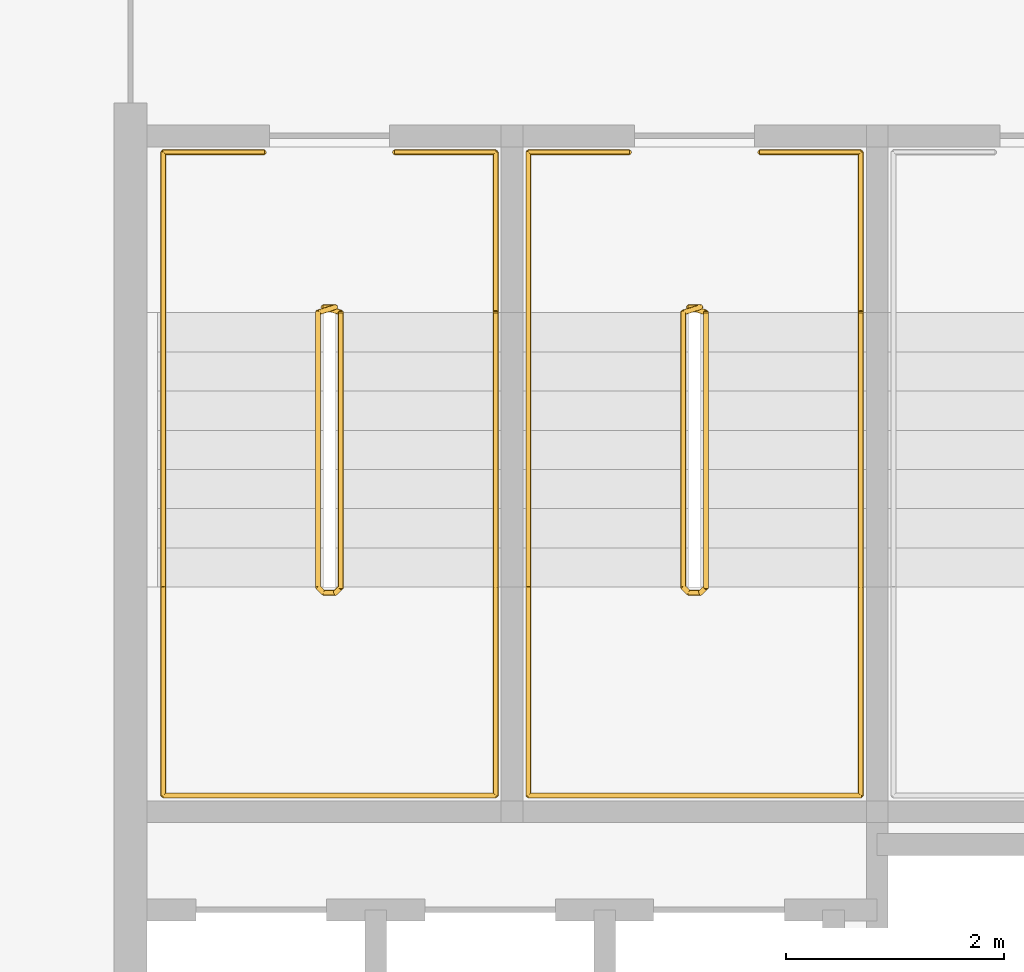
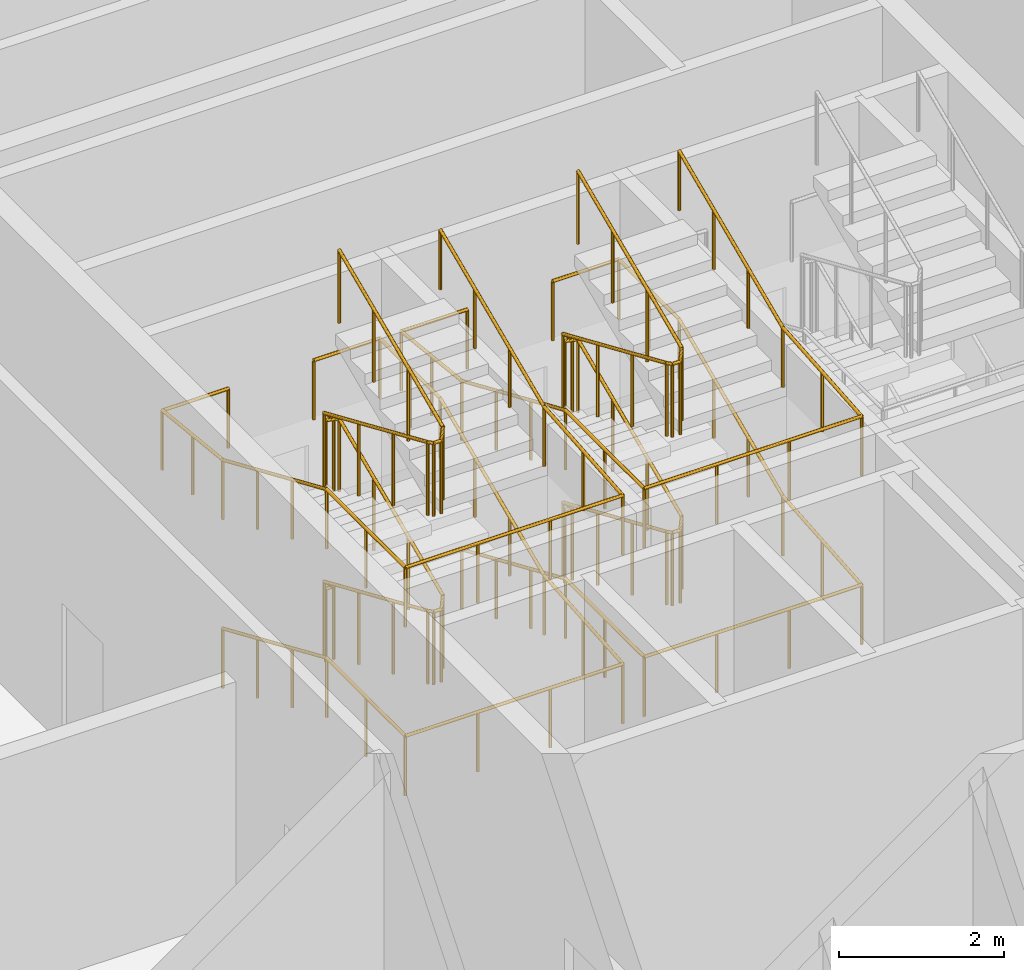
# One storey, part 10 of 11: 6 railings.
"""IFC4 building model written with IfcOpenShell, lengths in metres."""

from ifc_helpers import new_model, si_unit, direction, frame, origin, origin_2d, place, context, subcontext, project, spatial, circle, extrude, material, type_object, element, save


model = new_model("IFC4")

# Units and contexts
model_context = context("Model", 3, precision=1e-05, world=origin(), true_north=direction((0.0, 1.0)))
body_context = subcontext(model_context, "Body", "Model", "MODEL_VIEW")
ifc_project = project(units=[si_unit("LENGTHUNIT", "METRE"), si_unit("AREAUNIT", "SQUARE_METRE"), si_unit("VOLUMEUNIT", "CUBIC_METRE"), si_unit("PLANEANGLEUNIT", "RADIAN"), si_unit("MASSUNIT", "GRAM", prefix="KILO")], contexts=[model_context])

# Site, building, storey
site_placement = place(None, origin())
site = spatial("IfcSite", under=ifc_project, at=site_placement, CompositionType="ELEMENT")
building_placement = place(site_placement, origin())
building = spatial("IfcBuilding", under=site, at=building_placement, Name="Tessera Arch", CompositionType="ELEMENT")
storey_placement = place(building_placement, frame((0.0, 0.0, 290.199951171875)))
storey = spatial("IfcBuildingStorey", under=building, at=storey_placement, Name="L70", CompositionType="ELEMENT", Elevation=290.199951171875)

# Railings
ifc_material_1 = material(Name="Painted steel balustrade", Category="steel")
railing_type_1 = type_object("IfcRailingType", Name="Stair guard 1100", PredefinedType="GUARDRAIL", material=ifc_material_1)
railing_1_placement = place(storey_placement, frame((38.219970703125, 43.6298828125, 0.0)))
element("IfcRailing", 1, at=railing_1_placement, inside=storey, type_object=railing_type_1, Name="L70 S1a stair guard 1", PredefinedType="GUARDRAIL", context=body_context, shape_type="SweptSolid", body=[
    extrude(circle(Radius=0.02392578125, at=origin_2d()), frame((-0.00390625, 0.0, 1.076171875), z_axis=(1.0, 0.0, 0.0), x_axis=(0.0, 1.0, 0.0)), (0.0, 0.0, 1.0), 0.1181640625),
    extrude(circle(Radius=0.02392578125, at=origin_2d()), frame((0.11279296875, 0.0009765625, 1.0732421875), z_axis=(-0.698682510115, -0.217273219609, 0.681641473283), x_axis=(0.296948579431, -0.954893471113, 0.0)), (0.0, 0.0, 1.0), 0.2373046875),
    extrude(circle(Radius=0.02392578125, at=origin_2d()), frame((-0.050048828125, -0.046142578125, 1.230712890625), z_axis=(0.0, -0.917324189904, 0.398141093855), x_axis=(1.0, 0.0, 0.0)), (0.0, 0.0, 1.0), 2.755126953125),
    extrude(circle(Radius=0.02392578125, at=origin_2d()), frame((-0.052978515625, -2.56689453125, 2.326171875), z_axis=(0.707106781187, -0.707106781187, 0.0), x_axis=(0.707106781187, 0.707106781187, 0.0)), (0.0, 0.0, 1.0), 0.078857421875),
    extrude(circle(Radius=0.02392578125, at=origin_2d()), frame((-0.00390625, -2.619873046875, 2.326171875), z_axis=(1.0, 0.0, 0.0), x_axis=(0.0, 1.0, 0.0)), (0.0, 0.0, 1.0), 0.1181640625),
    extrude(circle(Radius=0.02392578125, at=origin_2d()), frame((0.10888671875, -2.62109375, 2.322509765625), z_axis=(0.290469530425, 0.291893400672, 0.911276958196), x_axis=(-0.708833529934, 0.705375805398, 0.0)), (0.0, 0.0, 1.0), 0.179443359375),
    extrude(circle(Radius=0.02392578125, at=origin_2d()), frame((0.159912109375, -2.573486328125, 2.480712890625), z_axis=(0.0, 0.917324189904, 0.398141093855), x_axis=(-1.0, 0.0, 0.0)), (0.0, 0.0, 1.0), 2.755126953125),
    extrude(circle(Radius=0.02392578125, at=origin_2d()), frame((0.163818359375, -0.051025390625, 3.576171875), z_axis=(-0.954764847777, 0.297361876254, 0.0), x_axis=(-0.297361876254, -0.954764847777, 0.0)), (0.0, 0.0, 1.0), 0.175537109375),
    extrude(circle(Radius=0.02392578125, at=origin_2d()), frame((-0.00390625, 0.0, 3.576171875), z_axis=(1.0, 0.0, 0.0), x_axis=(0.0, 1.0, 0.0)), (0.0, 0.0, 1.0), 0.1181640625),
    extrude(circle(Radius=0.02392578125, at=origin_2d()), frame((0.11279296875, 0.0009765625, 3.5732421875), z_axis=(-0.698682510115, -0.217273219609, 0.681641473283), x_axis=(0.296948579431, -0.954893471113, 0.0)), (0.0, 0.0, 1.0), 0.2373046875),
    extrude(circle(Radius=0.02392578125, at=origin_2d()), frame((-0.050048828125, -0.046142578125, 3.730712890625), z_axis=(0.0, -0.917324189904, 0.398141093855), x_axis=(1.0, 0.0, 0.0)), (0.0, 0.0, 1.0), 2.755126953125),
    extrude(circle(Radius=0.02392578125, at=origin_2d()), frame((-0.052978515625, -2.56689453125, 4.826171875), z_axis=(0.707106781187, -0.707106781187, 0.0), x_axis=(0.707106781187, 0.707106781187, 0.0)), (0.0, 0.0, 1.0), 0.078857421875),
    extrude(circle(Radius=0.02392578125, at=origin_2d()), frame((-0.00390625, -2.619873046875, 4.826171875), z_axis=(1.0, 0.0, 0.0), x_axis=(0.0, 1.0, 0.0)), (0.0, 0.0, 1.0), 0.1181640625),
    extrude(circle(Radius=0.02392578125, at=origin_2d()), frame((0.10888671875, -2.62109375, 4.822509765625), z_axis=(0.290469530425, 0.291893400672, 0.911276958196), x_axis=(-0.708833529934, 0.705375805398, 0.0)), (0.0, 0.0, 1.0), 0.179443359375),
    extrude(circle(Radius=0.02392578125, at=origin_2d()), frame((0.159912109375, -2.573486328125, 4.980712890625), z_axis=(0.0, 0.917324189904, 0.398141093855), x_axis=(-1.0, 0.0, 0.0)), (0.0, 0.0, 1.0), 2.755126953125),
    extrude(circle(Radius=0.02099609375, at=origin_2d()), origin(), (0.0, 0.0, 1.0), 1.06396484375),
    extrude(circle(Radius=0.02099609375, at=origin_2d()), frame((0.110107421875, 0.0, 0.0)), (0.0, 0.0, 1.0), 1.06396484375),
    extrude(circle(Radius=0.02099609375, at=origin_2d()), frame((-0.050048828125, -0.0498046875, 0.15625)), (0.0, 0.0, 1.0), 1.06396484375),
    extrude(circle(Radius=0.02099609375, at=origin_2d()), frame((-0.050048828125, -0.889892578125, 0.520751953125)), (0.0, 0.0, 1.0), 1.06396484375),
    extrude(circle(Radius=0.02099609375, at=origin_2d()), frame((-0.050048828125, -1.729736328125, 0.885498046875)), (0.0, 0.0, 1.0), 1.06396484375),
    extrude(circle(Radius=0.02099609375, at=origin_2d()), frame((-0.050048828125, -2.56982421875, 1.25)), (0.0, 0.0, 1.0), 1.06396484375),
    extrude(circle(Radius=0.02099609375, at=origin_2d()), frame((0.0, -2.619873046875, 1.25)), (0.0, 0.0, 1.0), 1.06396484375),
    extrude(circle(Radius=0.02099609375, at=origin_2d()), frame((0.110107421875, -2.619873046875, 1.25)), (0.0, 0.0, 1.0), 1.06396484375),
    extrude(circle(Radius=0.02099609375, at=origin_2d()), frame((0.159912109375, -2.56982421875, 1.40625)), (0.0, 0.0, 1.0), 1.06396484375),
    extrude(circle(Radius=0.02099609375, at=origin_2d()), frame((0.159912109375, -1.729736328125, 1.770751953125)), (0.0, 0.0, 1.0), 1.06396484375),
    extrude(circle(Radius=0.02099609375, at=origin_2d()), frame((0.159912109375, -0.889892578125, 2.135498046875)), (0.0, 0.0, 1.0), 1.06396484375),
    extrude(circle(Radius=0.02099609375, at=origin_2d()), frame((0.159912109375, -0.0498046875, 2.5)), (0.0, 0.0, 1.0), 1.06396484375),
    extrude(circle(Radius=0.02099609375, at=origin_2d()), frame((0.0, 0.0, 2.5)), (0.0, 0.0, 1.0), 1.06396484375),
    extrude(circle(Radius=0.02099609375, at=origin_2d()), frame((0.110107421875, 0.0, 2.5)), (0.0, 0.0, 1.0), 1.06396484375),
    extrude(circle(Radius=0.02099609375, at=origin_2d()), frame((-0.050048828125, -0.0498046875, 2.65625)), (0.0, 0.0, 1.0), 1.06396484375),
    extrude(circle(Radius=0.02099609375, at=origin_2d()), frame((-0.050048828125, -0.889892578125, 3.020751953125)), (0.0, 0.0, 1.0), 1.06396484375),
    extrude(circle(Radius=0.02099609375, at=origin_2d()), frame((-0.050048828125, -1.729736328125, 3.385498046875)), (0.0, 0.0, 1.0), 1.06396484375),
    extrude(circle(Radius=0.02099609375, at=origin_2d()), frame((-0.050048828125, -2.56982421875, 3.75)), (0.0, 0.0, 1.0), 1.06396484375),
    extrude(circle(Radius=0.02099609375, at=origin_2d()), frame((0.0, -2.619873046875, 3.75)), (0.0, 0.0, 1.0), 1.06396484375),
    extrude(circle(Radius=0.02099609375, at=origin_2d()), frame((0.110107421875, -2.619873046875, 3.75)), (0.0, 0.0, 1.0), 1.06396484375),
    extrude(circle(Radius=0.02099609375, at=origin_2d()), frame((0.159912109375, -2.56982421875, 3.90625)), (0.0, 0.0, 1.0), 1.06396484375),
    extrude(circle(Radius=0.02099609375, at=origin_2d()), frame((0.159912109375, -1.729736328125, 4.270751953125)), (0.0, 0.0, 1.0), 1.06396484375),
    extrude(circle(Radius=0.02099609375, at=origin_2d()), frame((0.159912109375, -0.889892578125, 4.635498046875)), (0.0, 0.0, 1.0), 1.06396484375),
    extrude(circle(Radius=0.02099609375, at=origin_2d()), frame((0.159912109375, -0.0498046875, 5.0)), (0.0, 0.0, 1.0), 1.06396484375),
])
railing_2_placement = place(storey_placement, frame((41.570068359375, 43.6298828125, 0.0)))
element("IfcRailing", 2, at=railing_2_placement, inside=storey, type_object=railing_type_1, Name="L70 S1b stair guard 1", PredefinedType="GUARDRAIL", context=body_context, shape_type="SweptSolid", body=[
    extrude(circle(Radius=0.02392578125, at=origin_2d()), frame((-0.00390625, 0.0, 1.076171875), z_axis=(1.0, 0.0, 0.0), x_axis=(0.0, 1.0, 0.0)), (0.0, 0.0, 1.0), 0.117919921875),
    extrude(circle(Radius=0.02392578125, at=origin_2d()), frame((0.112548828125, 0.0009765625, 1.0732421875), z_axis=(-0.698136755474, -0.217434958957, 0.682148890844), x_axis=(0.297361876254, -0.954764847777, 0.0)), (0.0, 0.0, 1.0), 0.237060546875),
    extrude(circle(Radius=0.02392578125, at=origin_2d()), frame((-0.050048828125, -0.046142578125, 1.230712890625), z_axis=(0.0, -0.917324189904, 0.398141093855), x_axis=(1.0, 0.0, 0.0)), (0.0, 0.0, 1.0), 2.755126953125),
    extrude(circle(Radius=0.02392578125, at=origin_2d()), frame((-0.052978515625, -2.56689453125, 2.326171875), z_axis=(0.707106781187, -0.707106781187, 0.0), x_axis=(0.707106781187, 0.707106781187, 0.0)), (0.0, 0.0, 1.0), 0.078857421875),
    extrude(circle(Radius=0.02392578125, at=origin_2d()), frame((-0.00390625, -2.619873046875, 2.326171875), z_axis=(1.0, 0.0, 0.0), x_axis=(0.0, 1.0, 0.0)), (0.0, 0.0, 1.0), 0.117919921875),
    extrude(circle(Radius=0.02392578125, at=origin_2d()), frame((0.108642578125, -2.62109375, 2.322509765625), z_axis=(0.29177245553, 0.29177245553, 0.91089937336), x_axis=(-0.707106781187, 0.707106781187, 0.0)), (0.0, 0.0, 1.0), 0.179443359375),
    extrude(circle(Radius=0.02392578125, at=origin_2d()), frame((0.159912109375, -2.573486328125, 2.480712890625), z_axis=(0.0, 0.917324189904, 0.398141093855), x_axis=(-1.0, 0.0, 0.0)), (0.0, 0.0, 1.0), 2.755126953125),
    extrude(circle(Radius=0.02392578125, at=origin_2d()), frame((0.163818359375, -0.051025390625, 3.576171875), z_axis=(-0.954764847777, 0.297361876254, 0.0), x_axis=(-0.297361876254, -0.954764847777, 0.0)), (0.0, 0.0, 1.0), 0.175537109375),
    extrude(circle(Radius=0.02392578125, at=origin_2d()), frame((-0.00390625, 0.0, 3.576171875), z_axis=(1.0, 0.0, 0.0), x_axis=(0.0, 1.0, 0.0)), (0.0, 0.0, 1.0), 0.117919921875),
    extrude(circle(Radius=0.02392578125, at=origin_2d()), frame((0.112548828125, 0.0009765625, 3.5732421875), z_axis=(-0.698136755474, -0.217434958957, 0.682148890844), x_axis=(0.297361876254, -0.954764847777, 0.0)), (0.0, 0.0, 1.0), 0.237060546875),
    extrude(circle(Radius=0.02392578125, at=origin_2d()), frame((-0.050048828125, -0.046142578125, 3.730712890625), z_axis=(0.0, -0.917324189904, 0.398141093855), x_axis=(1.0, 0.0, 0.0)), (0.0, 0.0, 1.0), 2.755126953125),
    extrude(circle(Radius=0.02392578125, at=origin_2d()), frame((-0.052978515625, -2.56689453125, 4.826171875), z_axis=(0.707106781187, -0.707106781187, 0.0), x_axis=(0.707106781187, 0.707106781187, 0.0)), (0.0, 0.0, 1.0), 0.078857421875),
    extrude(circle(Radius=0.02392578125, at=origin_2d()), frame((-0.00390625, -2.619873046875, 4.826171875), z_axis=(1.0, 0.0, 0.0), x_axis=(0.0, 1.0, 0.0)), (0.0, 0.0, 1.0), 0.117919921875),
    extrude(circle(Radius=0.02392578125, at=origin_2d()), frame((0.108642578125, -2.62109375, 4.822509765625), z_axis=(0.29177245553, 0.29177245553, 0.91089937336), x_axis=(-0.707106781187, 0.707106781187, 0.0)), (0.0, 0.0, 1.0), 0.179443359375),
    extrude(circle(Radius=0.02392578125, at=origin_2d()), frame((0.159912109375, -2.573486328125, 4.980712890625), z_axis=(0.0, 0.917324189904, 0.398141093855), x_axis=(-1.0, 0.0, 0.0)), (0.0, 0.0, 1.0), 2.755126953125),
    extrude(circle(Radius=0.02099609375, at=origin_2d()), origin(), (0.0, 0.0, 1.0), 1.06396484375),
    extrude(circle(Radius=0.02099609375, at=origin_2d()), frame((0.10986328125, 0.0, 0.0)), (0.0, 0.0, 1.0), 1.06396484375),
    extrude(circle(Radius=0.02099609375, at=origin_2d()), frame((-0.050048828125, -0.0498046875, 0.15625)), (0.0, 0.0, 1.0), 1.06396484375),
    extrude(circle(Radius=0.02099609375, at=origin_2d()), frame((-0.050048828125, -0.889892578125, 0.520751953125)), (0.0, 0.0, 1.0), 1.06396484375),
    extrude(circle(Radius=0.02099609375, at=origin_2d()), frame((-0.050048828125, -1.729736328125, 0.885498046875)), (0.0, 0.0, 1.0), 1.06396484375),
    extrude(circle(Radius=0.02099609375, at=origin_2d()), frame((-0.050048828125, -2.56982421875, 1.25)), (0.0, 0.0, 1.0), 1.06396484375),
    extrude(circle(Radius=0.02099609375, at=origin_2d()), frame((0.0, -2.619873046875, 1.25)), (0.0, 0.0, 1.0), 1.06396484375),
    extrude(circle(Radius=0.02099609375, at=origin_2d()), frame((0.10986328125, -2.619873046875, 1.25)), (0.0, 0.0, 1.0), 1.06396484375),
    extrude(circle(Radius=0.02099609375, at=origin_2d()), frame((0.159912109375, -2.56982421875, 1.40625)), (0.0, 0.0, 1.0), 1.06396484375),
    extrude(circle(Radius=0.02099609375, at=origin_2d()), frame((0.159912109375, -1.729736328125, 1.770751953125)), (0.0, 0.0, 1.0), 1.06396484375),
    extrude(circle(Radius=0.02099609375, at=origin_2d()), frame((0.159912109375, -0.889892578125, 2.135498046875)), (0.0, 0.0, 1.0), 1.06396484375),
    extrude(circle(Radius=0.02099609375, at=origin_2d()), frame((0.159912109375, -0.0498046875, 2.5)), (0.0, 0.0, 1.0), 1.06396484375),
    extrude(circle(Radius=0.02099609375, at=origin_2d()), frame((0.0, 0.0, 2.5)), (0.0, 0.0, 1.0), 1.06396484375),
    extrude(circle(Radius=0.02099609375, at=origin_2d()), frame((0.10986328125, 0.0, 2.5)), (0.0, 0.0, 1.0), 1.06396484375),
    extrude(circle(Radius=0.02099609375, at=origin_2d()), frame((-0.050048828125, -0.0498046875, 2.65625)), (0.0, 0.0, 1.0), 1.06396484375),
    extrude(circle(Radius=0.02099609375, at=origin_2d()), frame((-0.050048828125, -0.889892578125, 3.020751953125)), (0.0, 0.0, 1.0), 1.06396484375),
    extrude(circle(Radius=0.02099609375, at=origin_2d()), frame((-0.050048828125, -1.729736328125, 3.385498046875)), (0.0, 0.0, 1.0), 1.06396484375),
    extrude(circle(Radius=0.02099609375, at=origin_2d()), frame((-0.050048828125, -2.56982421875, 3.75)), (0.0, 0.0, 1.0), 1.06396484375),
    extrude(circle(Radius=0.02099609375, at=origin_2d()), frame((0.0, -2.619873046875, 3.75)), (0.0, 0.0, 1.0), 1.06396484375),
    extrude(circle(Radius=0.02099609375, at=origin_2d()), frame((0.10986328125, -2.619873046875, 3.75)), (0.0, 0.0, 1.0), 1.06396484375),
    extrude(circle(Radius=0.02099609375, at=origin_2d()), frame((0.159912109375, -2.56982421875, 3.90625)), (0.0, 0.0, 1.0), 1.06396484375),
    extrude(circle(Radius=0.02099609375, at=origin_2d()), frame((0.159912109375, -1.729736328125, 4.270751953125)), (0.0, 0.0, 1.0), 1.06396484375),
    extrude(circle(Radius=0.02099609375, at=origin_2d()), frame((0.159912109375, -0.889892578125, 4.635498046875)), (0.0, 0.0, 1.0), 1.06396484375),
    extrude(circle(Radius=0.02099609375, at=origin_2d()), frame((0.159912109375, -0.0498046875, 5.0)), (0.0, 0.0, 1.0), 1.06396484375),
])
ifc_material_2 = material(Name="Painted steel handrail", Category="steel")
railing_type_2 = type_object("IfcRailingType", Name="Stair handrail 900", PredefinedType="HANDRAIL", material=ifc_material_2)
railing_3_placement = place(storey_placement, frame((36.75, 43.580078125, 0.15625)))
element("IfcRailing", 3, at=railing_3_placement, inside=storey, type_object=railing_type_2, Name="L70 S1a stair handrail", PredefinedType="HANDRAIL", context=body_context, shape_type="SweptSolid", body=[
    extrude(circle(Radius=0.02392578125, at=origin_2d()), frame((0.0, 0.003662109375, 0.874267578125), z_axis=(0.0, -0.917324189904, 0.398141093855), x_axis=(1.0, 0.0, 0.0)), (0.0, 0.0, 1.0), 2.755126953125),
    extrude(circle(Radius=0.02392578125, at=origin_2d()), frame((0.0, -2.51611328125, 1.9697265625), z_axis=(0.0, -1.0, 0.0), x_axis=(1.0, 0.0, 0.0)), (0.0, 0.0, 1.0), 1.918212890625),
    extrude(circle(Radius=0.02392578125, at=origin_2d()), frame((-0.00390625, -4.43017578125, 1.9697265625), z_axis=(1.0, 0.0, 0.0), x_axis=(0.0, 1.0, 0.0)), (0.0, 0.0, 1.0), 3.05810546875),
    extrude(circle(Radius=0.02392578125, at=origin_2d()), frame((3.050048828125, -4.43408203125, 1.96923828125), z_axis=(0.0, 0.996671109807, 0.081527289146), x_axis=(-1.0, 0.0, 0.0)), (0.0, 0.0, 1.0), 1.924560546875),
    extrude(circle(Radius=0.02392578125, at=origin_2d()), frame((3.050048828125, -2.523681640625, 2.124267578125), z_axis=(0.0, 0.917324189904, 0.398141093855), x_axis=(-1.0, 0.0, 0.0)), (0.0, 0.0, 1.0), 2.755126953125),
    extrude(circle(Radius=0.02392578125, at=origin_2d()), frame((3.050048828125, -0.00390625, 3.2197265625), z_axis=(0.0, 1.0, 0.0), x_axis=(-1.0, 0.0, 0.0)), (0.0, 0.0, 1.0), 1.47802734375),
    extrude(circle(Radius=0.02392578125, at=origin_2d()), frame((3.053955078125, 1.469970703125, 3.2197265625), z_axis=(-1.0, 0.0, 0.0), x_axis=(0.0, -1.0, 0.0)), (0.0, 0.0, 1.0), 0.93310546875),
    extrude(circle(Radius=0.02099609375, at=origin_2d()), origin(), (0.0, 0.0, 1.0), 0.86376953125),
    extrude(circle(Radius=0.02099609375, at=origin_2d()), frame((0.0, -0.840087890625, 0.364501953125)), (0.0, 0.0, 1.0), 0.86376953125),
    extrude(circle(Radius=0.02099609375, at=origin_2d()), frame((0.0, -1.679931640625, 0.729248046875)), (0.0, 0.0, 1.0), 0.86376953125),
    extrude(circle(Radius=0.02099609375, at=origin_2d()), frame((0.0, -2.52001953125, 1.09375)), (0.0, 0.0, 1.0), 0.86376953125),
    extrude(circle(Radius=0.02099609375, at=origin_2d()), frame((0.0, -3.47509765625, 1.09375)), (0.0, 0.0, 1.0), 0.86376953125),
    extrude(circle(Radius=0.02099609375, at=origin_2d()), frame((0.0, -4.43017578125, 1.09375)), (0.0, 0.0, 1.0), 0.86376953125),
    extrude(circle(Radius=0.02099609375, at=origin_2d()), frame((1.0166015625, -4.43017578125, 1.09375)), (0.0, 0.0, 1.0), 0.86376953125),
    extrude(circle(Radius=0.02099609375, at=origin_2d()), frame((2.033447265625, -4.43017578125, 1.09375)), (0.0, 0.0, 1.0), 0.86376953125),
    extrude(circle(Radius=0.02099609375, at=origin_2d()), frame((3.050048828125, -4.43017578125, 1.09375)), (0.0, 0.0, 1.0), 0.86376953125),
    extrude(circle(Radius=0.02099609375, at=origin_2d()), frame((3.050048828125, -3.47509765625, 1.171875)), (0.0, 0.0, 1.0), 0.86376953125),
    extrude(circle(Radius=0.02099609375, at=origin_2d()), frame((3.050048828125, -2.52001953125, 1.25)), (0.0, 0.0, 1.0), 0.86376953125),
    extrude(circle(Radius=0.02099609375, at=origin_2d()), frame((3.050048828125, -1.679931640625, 1.614501953125)), (0.0, 0.0, 1.0), 0.86376953125),
    extrude(circle(Radius=0.02099609375, at=origin_2d()), frame((3.050048828125, -0.840087890625, 1.979248046875)), (0.0, 0.0, 1.0), 0.86376953125),
    extrude(circle(Radius=0.02099609375, at=origin_2d()), frame((3.050048828125, 0.0, 2.34375)), (0.0, 0.0, 1.0), 0.86376953125),
    extrude(circle(Radius=0.02099609375, at=origin_2d()), frame((3.050048828125, 0.73486328125, 2.34375)), (0.0, 0.0, 1.0), 0.86376953125),
    extrude(circle(Radius=0.02099609375, at=origin_2d()), frame((3.050048828125, 1.469970703125, 2.34375)), (0.0, 0.0, 1.0), 0.86376953125),
    extrude(circle(Radius=0.02099609375, at=origin_2d()), frame((2.125, 1.469970703125, 2.34375)), (0.0, 0.0, 1.0), 0.86376953125),
])
railing_4_placement = place(storey_placement, frame((37.675048828125, 45.050048828125, 2.5)))
element("IfcRailing", 4, at=railing_4_placement, inside=storey, type_object=railing_type_2, Name="L70 S1a stair handrail 2", PredefinedType="HANDRAIL", context=body_context, shape_type="SweptSolid", body=[
    extrude(circle(Radius=0.02392578125, at=origin_2d()), frame((0.00390625, 0.0, 0.8759765625), z_axis=(-1.0, 0.0, 0.0), x_axis=(0.0, -1.0, 0.0)), (0.0, 0.0, 1.0), 0.93310546875),
    extrude(circle(Radius=0.02392578125, at=origin_2d()), frame((-0.925048828125, 0.00390625, 0.87548828125), z_axis=(0.0, -0.994398150376, 0.105699188879), x_axis=(1.0, 0.0, 0.0)), (0.0, 0.0, 1.0), 1.486328125),
    extrude(circle(Radius=0.02392578125, at=origin_2d()), frame((-0.925048828125, -1.46630859375, 1.030517578125), z_axis=(0.0, -0.917324189904, 0.398141093855), x_axis=(1.0, 0.0, 0.0)), (0.0, 0.0, 1.0), 2.755126953125),
    extrude(circle(Radius=0.02392578125, at=origin_2d()), frame((-0.925048828125, -3.986083984375, 2.1259765625), z_axis=(0.0, -1.0, 0.0), x_axis=(1.0, 0.0, 0.0)), (0.0, 0.0, 1.0), 1.918212890625),
    extrude(circle(Radius=0.02392578125, at=origin_2d()), frame((-0.928955078125, -5.900146484375, 2.1259765625), z_axis=(1.0, 0.0, 0.0), x_axis=(0.0, 1.0, 0.0)), (0.0, 0.0, 1.0), 3.05810546875),
    extrude(circle(Radius=0.02392578125, at=origin_2d()), frame((2.125, -5.904052734375, 2.12548828125), z_axis=(0.0, 0.996671109807, 0.081527289146), x_axis=(-1.0, 0.0, 0.0)), (0.0, 0.0, 1.0), 1.924560546875),
    extrude(circle(Radius=0.02392578125, at=origin_2d()), frame((2.125, -3.99365234375, 2.280517578125), z_axis=(0.0, 0.917324189904, 0.398141093855), x_axis=(-1.0, 0.0, 0.0)), (0.0, 0.0, 1.0), 2.755126953125),
    extrude(circle(Radius=0.02099609375, at=origin_2d()), origin(), (0.0, 0.0, 1.0), 0.86376953125),
    extrude(circle(Radius=0.02099609375, at=origin_2d()), frame((-0.925048828125, 0.0, 0.0)), (0.0, 0.0, 1.0), 0.86376953125),
    extrude(circle(Radius=0.02099609375, at=origin_2d()), frame((-0.925048828125, -0.73486328125, 0.078125)), (0.0, 0.0, 1.0), 0.86376953125),
    extrude(circle(Radius=0.02099609375, at=origin_2d()), frame((-0.925048828125, -1.469970703125, 0.15625)), (0.0, 0.0, 1.0), 0.86376953125),
    extrude(circle(Radius=0.02099609375, at=origin_2d()), frame((-0.925048828125, -2.31005859375, 0.520751953125)), (0.0, 0.0, 1.0), 0.86376953125),
    extrude(circle(Radius=0.02099609375, at=origin_2d()), frame((-0.925048828125, -3.14990234375, 0.885498046875)), (0.0, 0.0, 1.0), 0.86376953125),
    extrude(circle(Radius=0.02099609375, at=origin_2d()), frame((-0.925048828125, -3.989990234375, 1.25)), (0.0, 0.0, 1.0), 0.86376953125),
    extrude(circle(Radius=0.02099609375, at=origin_2d()), frame((-0.925048828125, -4.945068359375, 1.25)), (0.0, 0.0, 1.0), 0.86376953125),
    extrude(circle(Radius=0.02099609375, at=origin_2d()), frame((-0.925048828125, -5.900146484375, 1.25)), (0.0, 0.0, 1.0), 0.86376953125),
    extrude(circle(Radius=0.02099609375, at=origin_2d()), frame((0.091552734375, -5.900146484375, 1.25)), (0.0, 0.0, 1.0), 0.86376953125),
    extrude(circle(Radius=0.02099609375, at=origin_2d()), frame((1.1083984375, -5.900146484375, 1.25)), (0.0, 0.0, 1.0), 0.86376953125),
    extrude(circle(Radius=0.02099609375, at=origin_2d()), frame((2.125, -5.900146484375, 1.25)), (0.0, 0.0, 1.0), 0.86376953125),
    extrude(circle(Radius=0.02099609375, at=origin_2d()), frame((2.125, -4.945068359375, 1.328125)), (0.0, 0.0, 1.0), 0.86376953125),
    extrude(circle(Radius=0.02099609375, at=origin_2d()), frame((2.125, -3.989990234375, 1.40625)), (0.0, 0.0, 1.0), 0.86376953125),
    extrude(circle(Radius=0.02099609375, at=origin_2d()), frame((2.125, -3.14990234375, 1.770751953125)), (0.0, 0.0, 1.0), 0.86376953125),
    extrude(circle(Radius=0.02099609375, at=origin_2d()), frame((2.125, -2.31005859375, 2.135498046875)), (0.0, 0.0, 1.0), 0.86376953125),
    extrude(circle(Radius=0.02099609375, at=origin_2d()), frame((2.125, -1.469970703125, 2.5)), (0.0, 0.0, 1.0), 0.86376953125),
])
railing_5_placement = place(storey_placement, frame((40.10009765625, 43.580078125, 0.15625)))
element("IfcRailing", 5, at=railing_5_placement, inside=storey, type_object=railing_type_2, Name="L70 S1b stair handrail", PredefinedType="HANDRAIL", context=body_context, shape_type="SweptSolid", body=[
    extrude(circle(Radius=0.02392578125, at=origin_2d()), frame((0.0, 0.003662109375, 0.874267578125), z_axis=(0.0, -0.917324189904, 0.398141093855), x_axis=(1.0, 0.0, 0.0)), (0.0, 0.0, 1.0), 2.755126953125),
    extrude(circle(Radius=0.02392578125, at=origin_2d()), frame((0.0, -2.51611328125, 1.9697265625), z_axis=(0.0, -1.0, 0.0), x_axis=(1.0, 0.0, 0.0)), (0.0, 0.0, 1.0), 1.918212890625),
    extrude(circle(Radius=0.02392578125, at=origin_2d()), frame((-0.00390625, -4.43017578125, 1.9697265625), z_axis=(1.0, 0.0, 0.0), x_axis=(0.0, 1.0, 0.0)), (0.0, 0.0, 1.0), 3.057861328125),
    extrude(circle(Radius=0.02392578125, at=origin_2d()), frame((3.0498046875, -4.43408203125, 1.96923828125), z_axis=(0.0, 0.996671109807, 0.081527289146), x_axis=(-1.0, 0.0, 0.0)), (0.0, 0.0, 1.0), 1.924560546875),
    extrude(circle(Radius=0.02392578125, at=origin_2d()), frame((3.0498046875, -2.523681640625, 2.124267578125), z_axis=(0.0, 0.917324189904, 0.398141093855), x_axis=(-1.0, 0.0, 0.0)), (0.0, 0.0, 1.0), 2.755126953125),
    extrude(circle(Radius=0.02392578125, at=origin_2d()), frame((3.0498046875, -0.00390625, 3.2197265625), z_axis=(0.0, 1.0, 0.0), x_axis=(-1.0, 0.0, 0.0)), (0.0, 0.0, 1.0), 1.47802734375),
    extrude(circle(Radius=0.02392578125, at=origin_2d()), frame((3.0537109375, 1.469970703125, 3.2197265625), z_axis=(-1.0, 0.0, 0.0), x_axis=(0.0, -1.0, 0.0)), (0.0, 0.0, 1.0), 0.932861328125),
    extrude(circle(Radius=0.02099609375, at=origin_2d()), origin(), (0.0, 0.0, 1.0), 0.86376953125),
    extrude(circle(Radius=0.02099609375, at=origin_2d()), frame((0.0, -0.840087890625, 0.364501953125)), (0.0, 0.0, 1.0), 0.86376953125),
    extrude(circle(Radius=0.02099609375, at=origin_2d()), frame((0.0, -1.679931640625, 0.729248046875)), (0.0, 0.0, 1.0), 0.86376953125),
    extrude(circle(Radius=0.02099609375, at=origin_2d()), frame((0.0, -2.52001953125, 1.09375)), (0.0, 0.0, 1.0), 0.86376953125),
    extrude(circle(Radius=0.02099609375, at=origin_2d()), frame((0.0, -3.47509765625, 1.09375)), (0.0, 0.0, 1.0), 0.86376953125),
    extrude(circle(Radius=0.02099609375, at=origin_2d()), frame((0.0, -4.43017578125, 1.09375)), (0.0, 0.0, 1.0), 0.86376953125),
    extrude(circle(Radius=0.02099609375, at=origin_2d()), frame((1.0166015625, -4.43017578125, 1.09375)), (0.0, 0.0, 1.0), 0.86376953125),
    extrude(circle(Radius=0.02099609375, at=origin_2d()), frame((2.033203125, -4.43017578125, 1.09375)), (0.0, 0.0, 1.0), 0.86376953125),
    extrude(circle(Radius=0.02099609375, at=origin_2d()), frame((3.0498046875, -4.43017578125, 1.09375)), (0.0, 0.0, 1.0), 0.86376953125),
    extrude(circle(Radius=0.02099609375, at=origin_2d()), frame((3.0498046875, -3.47509765625, 1.171875)), (0.0, 0.0, 1.0), 0.86376953125),
    extrude(circle(Radius=0.02099609375, at=origin_2d()), frame((3.0498046875, -2.52001953125, 1.25)), (0.0, 0.0, 1.0), 0.86376953125),
    extrude(circle(Radius=0.02099609375, at=origin_2d()), frame((3.0498046875, -1.679931640625, 1.614501953125)), (0.0, 0.0, 1.0), 0.86376953125),
    extrude(circle(Radius=0.02099609375, at=origin_2d()), frame((3.0498046875, -0.840087890625, 1.979248046875)), (0.0, 0.0, 1.0), 0.86376953125),
    extrude(circle(Radius=0.02099609375, at=origin_2d()), frame((3.0498046875, 0.0, 2.34375)), (0.0, 0.0, 1.0), 0.86376953125),
    extrude(circle(Radius=0.02099609375, at=origin_2d()), frame((3.0498046875, 0.73486328125, 2.34375)), (0.0, 0.0, 1.0), 0.86376953125),
    extrude(circle(Radius=0.02099609375, at=origin_2d()), frame((3.0498046875, 1.469970703125, 2.34375)), (0.0, 0.0, 1.0), 0.86376953125),
    extrude(circle(Radius=0.02099609375, at=origin_2d()), frame((2.125, 1.469970703125, 2.34375)), (0.0, 0.0, 1.0), 0.86376953125),
])
railing_6_placement = place(storey_placement, frame((41.02490234375, 45.050048828125, 2.5)))
element("IfcRailing", 6, at=railing_6_placement, inside=storey, type_object=railing_type_2, Name="L70 S1b stair handrail 2", PredefinedType="HANDRAIL", context=body_context, shape_type="SweptSolid", body=[
    extrude(circle(Radius=0.02392578125, at=origin_2d()), frame((0.00390625, 0.0, 0.8759765625), z_axis=(-1.0, 0.0, 0.0), x_axis=(0.0, -1.0, 0.0)), (0.0, 0.0, 1.0), 0.932861328125),
    extrude(circle(Radius=0.02392578125, at=origin_2d()), frame((-0.9248046875, 0.00390625, 0.87548828125), z_axis=(0.0, -0.994398150376, 0.105699188879), x_axis=(1.0, 0.0, 0.0)), (0.0, 0.0, 1.0), 1.486328125),
    extrude(circle(Radius=0.02392578125, at=origin_2d()), frame((-0.9248046875, -1.46630859375, 1.030517578125), z_axis=(0.0, -0.917324189904, 0.398141093855), x_axis=(1.0, 0.0, 0.0)), (0.0, 0.0, 1.0), 2.755126953125),
    extrude(circle(Radius=0.02392578125, at=origin_2d()), frame((-0.9248046875, -3.986083984375, 2.1259765625), z_axis=(0.0, -1.0, 0.0), x_axis=(1.0, 0.0, 0.0)), (0.0, 0.0, 1.0), 1.918212890625),
    extrude(circle(Radius=0.02392578125, at=origin_2d()), frame((-0.9287109375, -5.900146484375, 2.1259765625), z_axis=(1.0, 0.0, 0.0), x_axis=(0.0, 1.0, 0.0)), (0.0, 0.0, 1.0), 3.057861328125),
    extrude(circle(Radius=0.02392578125, at=origin_2d()), frame((2.125, -5.904052734375, 2.12548828125), z_axis=(0.0, 0.996671109807, 0.081527289146), x_axis=(-1.0, 0.0, 0.0)), (0.0, 0.0, 1.0), 1.924560546875),
    extrude(circle(Radius=0.02392578125, at=origin_2d()), frame((2.125, -3.99365234375, 2.280517578125), z_axis=(0.0, 0.917324189904, 0.398141093855), x_axis=(-1.0, 0.0, 0.0)), (0.0, 0.0, 1.0), 2.755126953125),
    extrude(circle(Radius=0.02099609375, at=origin_2d()), origin(), (0.0, 0.0, 1.0), 0.86376953125),
    extrude(circle(Radius=0.02099609375, at=origin_2d()), frame((-0.9248046875, 0.0, 0.0)), (0.0, 0.0, 1.0), 0.86376953125),
    extrude(circle(Radius=0.02099609375, at=origin_2d()), frame((-0.9248046875, -0.73486328125, 0.078125)), (0.0, 0.0, 1.0), 0.86376953125),
    extrude(circle(Radius=0.02099609375, at=origin_2d()), frame((-0.9248046875, -1.469970703125, 0.15625)), (0.0, 0.0, 1.0), 0.86376953125),
    extrude(circle(Radius=0.02099609375, at=origin_2d()), frame((-0.9248046875, -2.31005859375, 0.520751953125)), (0.0, 0.0, 1.0), 0.86376953125),
    extrude(circle(Radius=0.02099609375, at=origin_2d()), frame((-0.9248046875, -3.14990234375, 0.885498046875)), (0.0, 0.0, 1.0), 0.86376953125),
    extrude(circle(Radius=0.02099609375, at=origin_2d()), frame((-0.9248046875, -3.989990234375, 1.25)), (0.0, 0.0, 1.0), 0.86376953125),
    extrude(circle(Radius=0.02099609375, at=origin_2d()), frame((-0.9248046875, -4.945068359375, 1.25)), (0.0, 0.0, 1.0), 0.86376953125),
    extrude(circle(Radius=0.02099609375, at=origin_2d()), frame((-0.9248046875, -5.900146484375, 1.25)), (0.0, 0.0, 1.0), 0.86376953125),
    extrude(circle(Radius=0.02099609375, at=origin_2d()), frame((0.091796875, -5.900146484375, 1.25)), (0.0, 0.0, 1.0), 0.86376953125),
    extrude(circle(Radius=0.02099609375, at=origin_2d()), frame((1.1083984375, -5.900146484375, 1.25)), (0.0, 0.0, 1.0), 0.86376953125),
    extrude(circle(Radius=0.02099609375, at=origin_2d()), frame((2.125, -5.900146484375, 1.25)), (0.0, 0.0, 1.0), 0.86376953125),
    extrude(circle(Radius=0.02099609375, at=origin_2d()), frame((2.125, -4.945068359375, 1.328125)), (0.0, 0.0, 1.0), 0.86376953125),
    extrude(circle(Radius=0.02099609375, at=origin_2d()), frame((2.125, -3.989990234375, 1.40625)), (0.0, 0.0, 1.0), 0.86376953125),
    extrude(circle(Radius=0.02099609375, at=origin_2d()), frame((2.125, -3.14990234375, 1.770751953125)), (0.0, 0.0, 1.0), 0.86376953125),
    extrude(circle(Radius=0.02099609375, at=origin_2d()), frame((2.125, -2.31005859375, 2.135498046875)), (0.0, 0.0, 1.0), 0.86376953125),
    extrude(circle(Radius=0.02099609375, at=origin_2d()), frame((2.125, -1.469970703125, 2.5)), (0.0, 0.0, 1.0), 0.86376953125),
])

save(model, "model.ifc")
